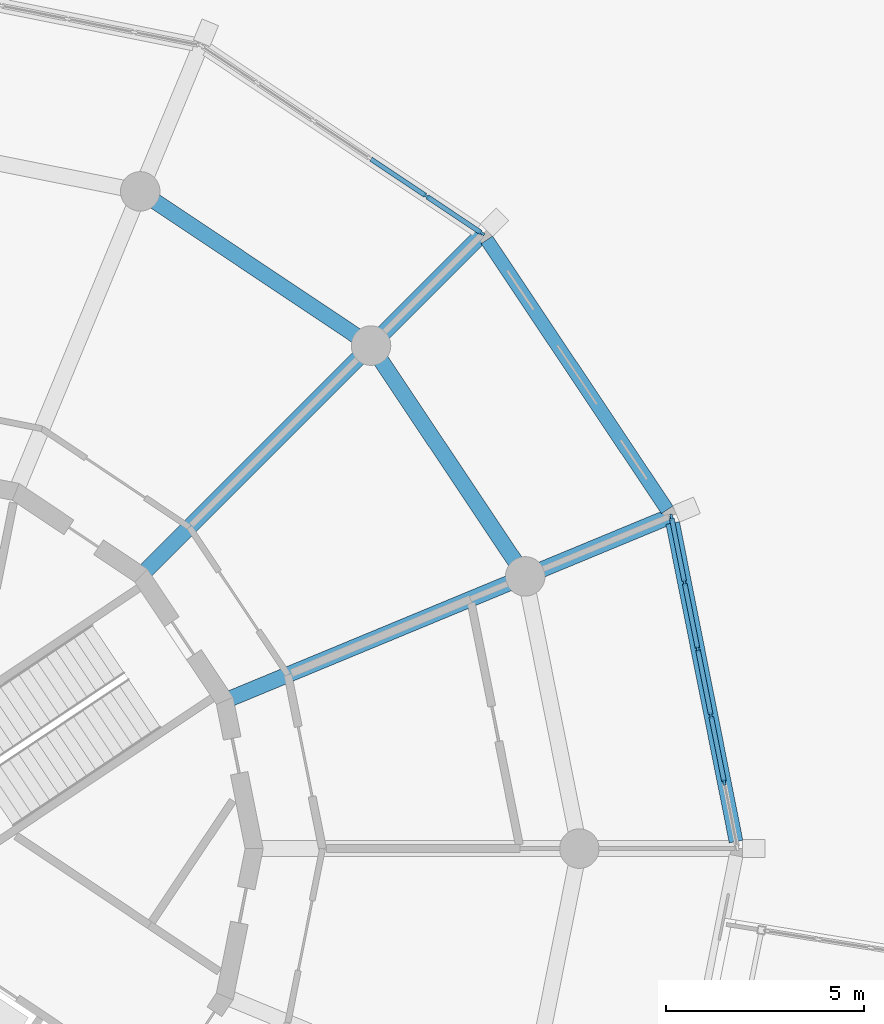
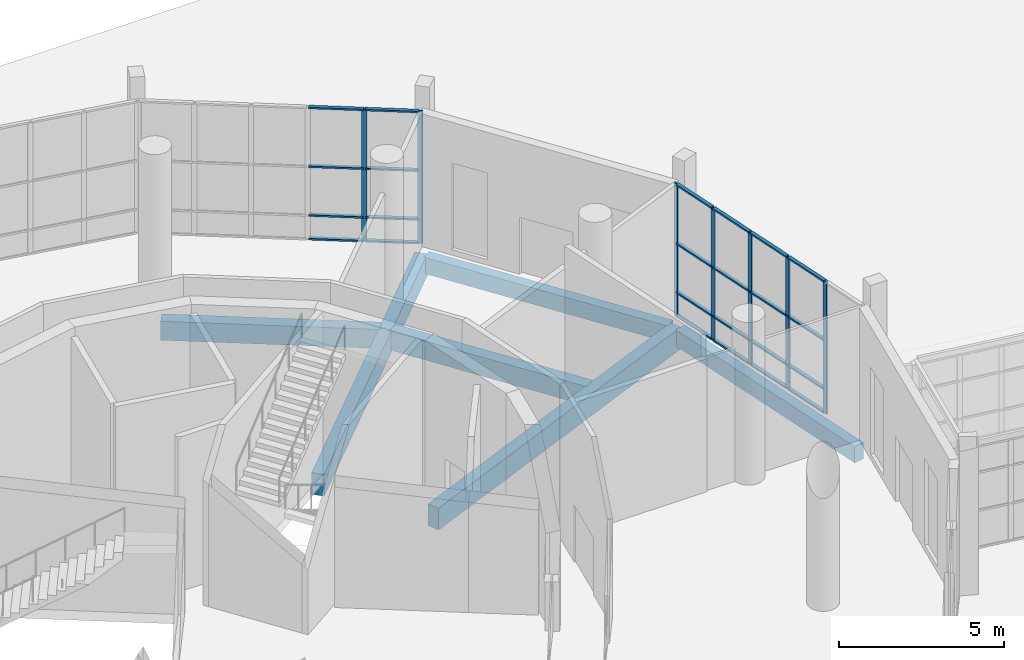
# One storey, part 71 of 226: 31 members, 6 beams, 2 elements without a shape of their own.
"""IFC4 building model written with IfcOpenShell, lengths in metres."""

from ifc_helpers import new_model, si_unit, direction, frame, origin, origin_2d, place, context, subcontext, project, spatial, rectangle, extrude, material, material_profile, profile_set, type_object, element, aggregate, save


model = new_model("IFC4")

# Units and contexts
model_context = context("Model", 3, precision=1e-05, world=origin(), true_north=direction((0.0, 1.0)))
body_context = subcontext(model_context, "Body", "Model", "MODEL_VIEW")
ifc_project = project(units=[si_unit("LENGTHUNIT", "METRE"), si_unit("AREAUNIT", "SQUARE_METRE"), si_unit("VOLUMEUNIT", "CUBIC_METRE"), si_unit("PLANEANGLEUNIT", "RADIAN"), si_unit("MASSUNIT", "GRAM", prefix="KILO")], contexts=[model_context])

# Site, building, storey
site_placement = place(None, origin())
site = spatial("IfcSite", under=ifc_project, at=site_placement, CompositionType="ELEMENT")
building_placement = place(site_placement, origin())
building = spatial("IfcBuilding", under=site, at=building_placement, Name="Ceibo Conservatory and Research Tower", CompositionType="ELEMENT")
storey_placement = place(building_placement, origin())
storey = spatial("IfcBuildingStorey", under=building, at=storey_placement, Name="L00", CompositionType="ELEMENT", Elevation=0.0)

# Curtain wall, members
ifc_material_1 = material(Name="Aluminium and glass", Category="aluminium")
curtain_wall_type = type_object("IfcCurtainWallType", Name="Curtain wall CW1", PredefinedType="NOTDEFINED", material=ifc_material_1)
curtain_wall_1_placement = place(storey_placement, origin())
curtain_wall_1 = element("IfcCurtainWall", 1, at=curtain_wall_1_placement, inside=storey, type_object=curtain_wall_type, Name="CW-00.01", PredefinedType="NOTDEFINED")
ifc_material_2 = material(Name="Aluminium", Category="aluminium")
ifc_material_profile_1 = material_profile(ifc_material_2, rectangle(XDim=0.06005859375, YDim=0.159912109375, at=origin_2d()), Name="Aluminium 60 x 160")
ifc_profile_set_1 = profile_set([ifc_material_profile_1], Name="Aluminium")
member_type_1 = type_object("IfcMemberType", Name="Aluminium mullion 60 x 160", PredefinedType="MULLION", material=ifc_profile_set_1)
member_1_placement = place(storey_placement, frame((69.6650390625, 121.683837890625, 0.0), z_axis=(0.0, 0.0, 1.0), x_axis=(-0.980785288916, -0.195090279221, 0.0)))
member_1 = element("IfcMember", 2, at=member_1_placement, type_object=member_type_1, Name="CW-00.01 mullion 2", PredefinedType="MULLION", context=body_context, shape_type="SweptSolid", body=[
    extrude(rectangle(XDim=0.06005859375, YDim=0.159912109375, at=origin_2d()), origin(), (0.0, 0.0, 1.0), 4.89990234375),
])
member_2_placement = place(storey_placement, frame((69.330078125, 123.36767578125, 0.0), z_axis=(0.0, 0.0, 1.0), x_axis=(-0.980785288916, -0.195090279221, 0.0)))
member_2 = element("IfcMember", 3, at=member_2_placement, type_object=member_type_1, Name="CW-00.01 mullion 3", PredefinedType="MULLION", context=body_context, shape_type="SweptSolid", body=[
    extrude(rectangle(XDim=0.06005859375, YDim=0.159912109375, at=origin_2d()), origin(), (0.0, 0.0, 1.0), 4.89990234375),
])
member_3_placement = place(storey_placement, frame((68.9951171875, 125.051513671875, 0.0), z_axis=(0.0, 0.0, 1.0), x_axis=(-0.980785288916, -0.195090279221, 0.0)))
member_3 = element("IfcMember", 4, at=member_3_placement, type_object=member_type_1, Name="CW-00.01 mullion 4", PredefinedType="MULLION", context=body_context, shape_type="SweptSolid", body=[
    extrude(rectangle(XDim=0.06005859375, YDim=0.159912109375, at=origin_2d()), origin(), (0.0, 0.0, 1.0), 4.89990234375),
])
member_4_placement = place(storey_placement, frame((68.660400390625, 126.735107421875, 0.0), z_axis=(0.0, 0.0, 1.0), x_axis=(-0.980785288916, -0.195090279221, 0.0)))
member_4 = element("IfcMember", 5, at=member_4_placement, type_object=member_type_1, Name="CW-00.01 mullion 5", PredefinedType="MULLION", context=body_context, shape_type="SweptSolid", body=[
    extrude(rectangle(XDim=0.06005859375, YDim=0.159912109375, at=origin_2d()), origin(), (0.0, 0.0, 1.0), 4.89990234375),
])
member_5_placement = place(storey_placement, frame((68.331298828125, 128.3896484375, 0.0), z_axis=(0.0, 0.0, 1.0), x_axis=(-0.980785288916, -0.195090279221, 0.0)))
member_5 = element("IfcMember", 6, at=member_5_placement, type_object=member_type_1, Name="CW-00.01 mullion 6", PredefinedType="MULLION", context=body_context, shape_type="SweptSolid", body=[
    extrude(rectangle(XDim=0.06005859375, YDim=0.159912109375, at=origin_2d()), origin(), (0.0, 0.0, 1.0), 4.89990234375),
])

curtain_wall_2_placement = place(storey_placement, origin())
curtain_wall_2 = element("IfcCurtainWall", 7, at=curtain_wall_2_placement, inside=storey, type_object=curtain_wall_type, Name="CW-00.03", PredefinedType="NOTDEFINED")
member_6_placement = place(storey_placement, frame((63.531494140625, 135.572998046875, 0.0), z_axis=(0.0, 0.0, 1.0), x_axis=(-0.555570307219, -0.831469562724, 0.0)))
member_6 = element("IfcMember", 8, at=member_6_placement, type_object=member_type_1, Name="CW-00.03 mullion 1", PredefinedType="MULLION", context=body_context, shape_type="SweptSolid", body=[
    extrude(rectangle(XDim=0.06005859375, YDim=0.159912109375, at=origin_2d()), origin(), (0.0, 0.0, 1.0), 4.89990234375),
])
member_7_placement = place(storey_placement, frame((62.12890625, 136.51025390625, 0.0), z_axis=(0.0, 0.0, 1.0), x_axis=(-0.555570307219, -0.831469562724, 0.0)))
member_7 = element("IfcMember", 9, at=member_7_placement, type_object=member_type_1, Name="CW-00.03 mullion 2", PredefinedType="MULLION", context=body_context, shape_type="SweptSolid", body=[
    extrude(rectangle(XDim=0.06005859375, YDim=0.159912109375, at=origin_2d()), origin(), (0.0, 0.0, 1.0), 4.89990234375),
])

# Member
ifc_material_profile_2 = material_profile(ifc_material_2, rectangle(XDim=0.1201171875, YDim=0.06005859375, at=origin_2d()), Name="Aluminium 60 x 120")
ifc_profile_set_2 = profile_set([ifc_material_profile_2], Name="Aluminium")
member_type_2 = type_object("IfcMemberType", Name="Aluminium transom 60 x 120", PredefinedType="USERDEFINED", material=ifc_profile_set_2)
member_8_placement = place(storey_placement, frame((69.6591796875, 121.713134765625, 0.030029296875), z_axis=(-0.195095890146, 0.980784172817, 0.0), x_axis=(-0.980784172817, -0.195095890146, 0.0)))
member_8 = element("IfcMember", 10, at=member_8_placement, type_object=member_type_2, Name="CW-00.01 transom 2.1", ObjectType="TRANSOM", PredefinedType="USERDEFINED", context=body_context, shape_type="SweptSolid", body=[
    extrude(rectangle(XDim=0.1201171875, YDim=0.06005859375, at=origin_2d()), origin(), (0.0, 0.0, 1.0), 1.65673828125),
])

member_9_placement = place(storey_placement, frame((69.6591796875, 121.713134765625, 0.89990234375), z_axis=(-0.195095890146, 0.980784172817, 0.0), x_axis=(-0.980784172817, -0.195095890146, 0.0)))
member_9 = element("IfcMember", 11, at=member_9_placement, type_object=member_type_2, Name="CW-00.01 transom 2.2", ObjectType="TRANSOM", PredefinedType="USERDEFINED", context=body_context, shape_type="SweptSolid", body=[
    extrude(rectangle(XDim=0.1201171875, YDim=0.06005859375, at=origin_2d()), origin(), (0.0, 0.0, 1.0), 1.65673828125),
])

member_10_placement = place(storey_placement, frame((69.6591796875, 121.713134765625, 2.699951171875), z_axis=(-0.195095890146, 0.980784172817, 0.0), x_axis=(-0.980784172817, -0.195095890146, 0.0)))
member_10 = element("IfcMember", 12, at=member_10_placement, type_object=member_type_2, Name="CW-00.01 transom 2.3", ObjectType="TRANSOM", PredefinedType="USERDEFINED", context=body_context, shape_type="SweptSolid", body=[
    extrude(rectangle(XDim=0.1201171875, YDim=0.06005859375, at=origin_2d()), origin(), (0.0, 0.0, 1.0), 1.65673828125),
])

member_11_placement = place(storey_placement, frame((69.6591796875, 121.713134765625, 4.8701171875), z_axis=(-0.195095890146, 0.980784172817, 0.0), x_axis=(-0.980784172817, -0.195095890146, 0.0)))
member_11 = element("IfcMember", 13, at=member_11_placement, type_object=member_type_2, Name="CW-00.01 transom 2.4", ObjectType="TRANSOM", PredefinedType="USERDEFINED", context=body_context, shape_type="SweptSolid", body=[
    extrude(rectangle(XDim=0.1201171875, YDim=0.06005859375, at=origin_2d()), origin(), (0.0, 0.0, 1.0), 1.65673828125),
])

member_12_placement = place(storey_placement, frame((69.32421875, 123.39697265625, 0.030029296875), z_axis=(-0.195095890146, 0.980784172817, 0.0), x_axis=(-0.980784172817, -0.195095890146, 0.0)))
member_12 = element("IfcMember", 14, at=member_12_placement, type_object=member_type_2, Name="CW-00.01 transom 3.1", ObjectType="TRANSOM", PredefinedType="USERDEFINED", context=body_context, shape_type="SweptSolid", body=[
    extrude(rectangle(XDim=0.1201171875, YDim=0.06005859375, at=origin_2d()), origin(), (0.0, 0.0, 1.0), 1.65673828125),
])

member_13_placement = place(storey_placement, frame((69.32421875, 123.39697265625, 0.89990234375), z_axis=(-0.195095890146, 0.980784172817, 0.0), x_axis=(-0.980784172817, -0.195095890146, 0.0)))
member_13 = element("IfcMember", 15, at=member_13_placement, type_object=member_type_2, Name="CW-00.01 transom 3.2", ObjectType="TRANSOM", PredefinedType="USERDEFINED", context=body_context, shape_type="SweptSolid", body=[
    extrude(rectangle(XDim=0.1201171875, YDim=0.06005859375, at=origin_2d()), origin(), (0.0, 0.0, 1.0), 1.65673828125),
])

member_14_placement = place(storey_placement, frame((69.32421875, 123.39697265625, 2.699951171875), z_axis=(-0.195095890146, 0.980784172817, 0.0), x_axis=(-0.980784172817, -0.195095890146, 0.0)))
member_14 = element("IfcMember", 16, at=member_14_placement, type_object=member_type_2, Name="CW-00.01 transom 3.3", ObjectType="TRANSOM", PredefinedType="USERDEFINED", context=body_context, shape_type="SweptSolid", body=[
    extrude(rectangle(XDim=0.1201171875, YDim=0.06005859375, at=origin_2d()), origin(), (0.0, 0.0, 1.0), 1.65673828125),
])

member_15_placement = place(storey_placement, frame((69.32421875, 123.39697265625, 4.8701171875), z_axis=(-0.195095890146, 0.980784172817, 0.0), x_axis=(-0.980784172817, -0.195095890146, 0.0)))
member_15 = element("IfcMember", 17, at=member_15_placement, type_object=member_type_2, Name="CW-00.01 transom 3.4", ObjectType="TRANSOM", PredefinedType="USERDEFINED", context=body_context, shape_type="SweptSolid", body=[
    extrude(rectangle(XDim=0.1201171875, YDim=0.06005859375, at=origin_2d()), origin(), (0.0, 0.0, 1.0), 1.65673828125),
])

member_16_placement = place(storey_placement, frame((68.9892578125, 125.080810546875, 0.030029296875), z_axis=(-0.195095890146, 0.980784172817, 0.0), x_axis=(-0.980784172817, -0.195095890146, 0.0)))
member_16 = element("IfcMember", 18, at=member_16_placement, type_object=member_type_2, Name="CW-00.01 transom 4.1", ObjectType="TRANSOM", PredefinedType="USERDEFINED", context=body_context, shape_type="SweptSolid", body=[
    extrude(rectangle(XDim=0.1201171875, YDim=0.06005859375, at=origin_2d()), origin(), (0.0, 0.0, 1.0), 1.65673828125),
])

member_17_placement = place(storey_placement, frame((68.9892578125, 125.080810546875, 0.89990234375), z_axis=(-0.195095890146, 0.980784172817, 0.0), x_axis=(-0.980784172817, -0.195095890146, 0.0)))
member_17 = element("IfcMember", 19, at=member_17_placement, type_object=member_type_2, Name="CW-00.01 transom 4.2", ObjectType="TRANSOM", PredefinedType="USERDEFINED", context=body_context, shape_type="SweptSolid", body=[
    extrude(rectangle(XDim=0.1201171875, YDim=0.06005859375, at=origin_2d()), origin(), (0.0, 0.0, 1.0), 1.65673828125),
])

member_18_placement = place(storey_placement, frame((68.9892578125, 125.080810546875, 2.699951171875), z_axis=(-0.195095890146, 0.980784172817, 0.0), x_axis=(-0.980784172817, -0.195095890146, 0.0)))
member_18 = element("IfcMember", 20, at=member_18_placement, type_object=member_type_2, Name="CW-00.01 transom 4.3", ObjectType="TRANSOM", PredefinedType="USERDEFINED", context=body_context, shape_type="SweptSolid", body=[
    extrude(rectangle(XDim=0.1201171875, YDim=0.06005859375, at=origin_2d()), origin(), (0.0, 0.0, 1.0), 1.65673828125),
])

member_19_placement = place(storey_placement, frame((68.9892578125, 125.080810546875, 4.8701171875), z_axis=(-0.195095890146, 0.980784172817, 0.0), x_axis=(-0.980784172817, -0.195095890146, 0.0)))
member_19 = element("IfcMember", 21, at=member_19_placement, type_object=member_type_2, Name="CW-00.01 transom 4.4", ObjectType="TRANSOM", PredefinedType="USERDEFINED", context=body_context, shape_type="SweptSolid", body=[
    extrude(rectangle(XDim=0.1201171875, YDim=0.06005859375, at=origin_2d()), origin(), (0.0, 0.0, 1.0), 1.65673828125),
])

member_20_placement = place(storey_placement, frame((68.654541015625, 126.7646484375, 0.030029296875), z_axis=(-0.195105867559, 0.980782188074, 0.0), x_axis=(-0.980782188074, -0.195105867559, 0.0)))
member_20 = element("IfcMember", 22, at=member_20_placement, type_object=member_type_2, Name="CW-00.01 transom 5.1", ObjectType="TRANSOM", PredefinedType="USERDEFINED", context=body_context, shape_type="SweptSolid", body=[
    extrude(rectangle(XDim=0.1201171875, YDim=0.06005859375, at=origin_2d()), origin(), (0.0, 0.0, 1.0), 1.626708984375),
])

member_21_placement = place(storey_placement, frame((68.654541015625, 126.7646484375, 0.89990234375), z_axis=(-0.195105867559, 0.980782188074, 0.0), x_axis=(-0.980782188074, -0.195105867559, 0.0)))
member_21 = element("IfcMember", 23, at=member_21_placement, type_object=member_type_2, Name="CW-00.01 transom 5.2", ObjectType="TRANSOM", PredefinedType="USERDEFINED", context=body_context, shape_type="SweptSolid", body=[
    extrude(rectangle(XDim=0.1201171875, YDim=0.06005859375, at=origin_2d()), origin(), (0.0, 0.0, 1.0), 1.626708984375),
])

member_22_placement = place(storey_placement, frame((68.654541015625, 126.7646484375, 2.699951171875), z_axis=(-0.195105867559, 0.980782188074, 0.0), x_axis=(-0.980782188074, -0.195105867559, 0.0)))
member_22 = element("IfcMember", 24, at=member_22_placement, type_object=member_type_2, Name="CW-00.01 transom 5.3", ObjectType="TRANSOM", PredefinedType="USERDEFINED", context=body_context, shape_type="SweptSolid", body=[
    extrude(rectangle(XDim=0.1201171875, YDim=0.06005859375, at=origin_2d()), origin(), (0.0, 0.0, 1.0), 1.626708984375),
])

member_23_placement = place(storey_placement, frame((68.654541015625, 126.7646484375, 4.8701171875), z_axis=(-0.195105867559, 0.980782188074, 0.0), x_axis=(-0.980782188074, -0.195105867559, 0.0)))
member_23 = element("IfcMember", 25, at=member_23_placement, type_object=member_type_2, Name="CW-00.01 transom 5.4", ObjectType="TRANSOM", PredefinedType="USERDEFINED", context=body_context, shape_type="SweptSolid", body=[
    extrude(rectangle(XDim=0.1201171875, YDim=0.06005859375, at=origin_2d()), origin(), (0.0, 0.0, 1.0), 1.626708984375),
])

aggregate(curtain_wall_1, [member_1, member_2, member_3, member_4, member_5, member_8, member_9, member_10, member_11, member_12, member_13, member_14, member_15, member_16, member_17, member_18, member_19, member_20, member_21, member_22, member_23])

member_24_placement = place(storey_placement, frame((63.50634765625, 135.589599609375, 0.030029296875), z_axis=(-0.831449482525, 0.555600358179, 0.0), x_axis=(-0.555600358179, -0.831449482525, 0.0)))
member_24 = element("IfcMember", 26, at=member_24_placement, type_object=member_type_2, Name="CW-00.03 transom 1.1", ObjectType="TRANSOM", PredefinedType="USERDEFINED", context=body_context, shape_type="SweptSolid", body=[
    extrude(rectangle(XDim=0.1201171875, YDim=0.06005859375, at=origin_2d()), origin(), (0.0, 0.0, 1.0), 1.626708984375),
])

member_25_placement = place(storey_placement, frame((63.50634765625, 135.589599609375, 0.89990234375), z_axis=(-0.831449482525, 0.555600358179, 0.0), x_axis=(-0.555600358179, -0.831449482525, 0.0)))
member_25 = element("IfcMember", 27, at=member_25_placement, type_object=member_type_2, Name="CW-00.03 transom 1.2", ObjectType="TRANSOM", PredefinedType="USERDEFINED", context=body_context, shape_type="SweptSolid", body=[
    extrude(rectangle(XDim=0.1201171875, YDim=0.06005859375, at=origin_2d()), origin(), (0.0, 0.0, 1.0), 1.626708984375),
])

member_26_placement = place(storey_placement, frame((63.50634765625, 135.589599609375, 2.699951171875), z_axis=(-0.831449482525, 0.555600358179, 0.0), x_axis=(-0.555600358179, -0.831449482525, 0.0)))
member_26 = element("IfcMember", 28, at=member_26_placement, type_object=member_type_2, Name="CW-00.03 transom 1.3", ObjectType="TRANSOM", PredefinedType="USERDEFINED", context=body_context, shape_type="SweptSolid", body=[
    extrude(rectangle(XDim=0.1201171875, YDim=0.06005859375, at=origin_2d()), origin(), (0.0, 0.0, 1.0), 1.626708984375),
])

member_27_placement = place(storey_placement, frame((63.50634765625, 135.589599609375, 4.8701171875), z_axis=(-0.831449482525, 0.555600358179, 0.0), x_axis=(-0.555600358179, -0.831449482525, 0.0)))
member_27 = element("IfcMember", 29, at=member_27_placement, type_object=member_type_2, Name="CW-00.03 transom 1.4", ObjectType="TRANSOM", PredefinedType="USERDEFINED", context=body_context, shape_type="SweptSolid", body=[
    extrude(rectangle(XDim=0.1201171875, YDim=0.06005859375, at=origin_2d()), origin(), (0.0, 0.0, 1.0), 1.626708984375),
])

member_28_placement = place(storey_placement, frame((62.10400390625, 136.52685546875, 0.030029296875), z_axis=(-0.831505826173, 0.555516031308, 0.0), x_axis=(-0.555516031308, -0.831505826173, 0.0)))
member_28 = element("IfcMember", 30, at=member_28_placement, type_object=member_type_2, Name="CW-00.03 transom 2.1", ObjectType="TRANSOM", PredefinedType="USERDEFINED", context=body_context, shape_type="SweptSolid", body=[
    extrude(rectangle(XDim=0.1201171875, YDim=0.06005859375, at=origin_2d()), origin(), (0.0, 0.0, 1.0), 1.65673828125),
])

member_29_placement = place(storey_placement, frame((62.10400390625, 136.52685546875, 0.89990234375), z_axis=(-0.831505826173, 0.555516031308, 0.0), x_axis=(-0.555516031308, -0.831505826173, 0.0)))
member_29 = element("IfcMember", 31, at=member_29_placement, type_object=member_type_2, Name="CW-00.03 transom 2.2", ObjectType="TRANSOM", PredefinedType="USERDEFINED", context=body_context, shape_type="SweptSolid", body=[
    extrude(rectangle(XDim=0.1201171875, YDim=0.06005859375, at=origin_2d()), origin(), (0.0, 0.0, 1.0), 1.65673828125),
])

member_30_placement = place(storey_placement, frame((62.10400390625, 136.52685546875, 2.699951171875), z_axis=(-0.831505826173, 0.555516031308, 0.0), x_axis=(-0.555516031308, -0.831505826173, 0.0)))
member_30 = element("IfcMember", 32, at=member_30_placement, type_object=member_type_2, Name="CW-00.03 transom 2.3", ObjectType="TRANSOM", PredefinedType="USERDEFINED", context=body_context, shape_type="SweptSolid", body=[
    extrude(rectangle(XDim=0.1201171875, YDim=0.06005859375, at=origin_2d()), origin(), (0.0, 0.0, 1.0), 1.65673828125),
])

member_31_placement = place(storey_placement, frame((62.10400390625, 136.52685546875, 4.8701171875), z_axis=(-0.831505826173, 0.555516031308, 0.0), x_axis=(-0.555516031308, -0.831505826173, 0.0)))
member_31 = element("IfcMember", 33, at=member_31_placement, type_object=member_type_2, Name="CW-00.03 transom 2.4", ObjectType="TRANSOM", PredefinedType="USERDEFINED", context=body_context, shape_type="SweptSolid", body=[
    extrude(rectangle(XDim=0.1201171875, YDim=0.06005859375, at=origin_2d()), origin(), (0.0, 0.0, 1.0), 1.65673828125),
])

aggregate(curtain_wall_2, [member_6, member_7, member_24, member_25, member_26, member_27, member_28, member_29, member_30, member_31])

# Beams
ifc_material_3 = material(Name="Concrete C35/45", Category="concrete")
ifc_material_profile_3 = material_profile(ifc_material_3, rectangle(XDim=0.35009765625, YDim=0.60009765625, at=origin_2d()), Name="RC 350x600")
ifc_profile_set_3 = profile_set([ifc_material_profile_3], Name="Concrete C35/45")
beam_type_1 = type_object("IfcBeamType", Name="RC beam 350x600 C35", PredefinedType="BEAM", material=ifc_profile_set_3)
beam_1_placement = place(storey_placement, frame((69.964111328125, 120.180419921875, -0.64990234375), z_axis=(-0.195076015612, 0.980788126016, 0.0), x_axis=(-0.980788126016, -0.195076015612, 0.0)))
element("IfcBeam", 34, at=beam_1_placement, inside=storey, type_object=beam_type_1, Name="Edge beam 01 L00", PredefinedType="BEAM", context=body_context, shape_type="SweptSolid", body=[
    extrude(rectangle(XDim=0.35009765625, YDim=0.60009765625, at=origin_2d()), origin(), (0.0, 0.0, 1.0), 8.21630859375),
])
beam_2_placement = place(storey_placement, frame((68.22314453125, 128.572021484375, -0.64990234375), z_axis=(-0.555584480406, 0.831460092327, 0.0), x_axis=(-0.831460092327, -0.555584480406, 0.0)))
element("IfcBeam", 35, at=beam_2_placement, inside=storey, type_object=beam_type_1, Name="Edge beam 02 L00", PredefinedType="BEAM", context=body_context, shape_type="SweptSolid", body=[
    extrude(rectangle(XDim=0.35009765625, YDim=0.60009765625, at=origin_2d()), origin(), (0.0, 0.0, 1.0), 8.216064453125),
])
ifc_material_profile_4 = material_profile(ifc_material_3, rectangle(XDim=0.39990234375, YDim=0.699951171875, at=origin_2d()), Name="RC 400x700")
ifc_profile_set_4 = profile_set([ifc_material_profile_4], Name="Concrete C35/45")
beam_type_2 = type_object("IfcBeamType", Name="RC beam 400x700 C35", PredefinedType="BEAM", material=ifc_profile_set_4)
for number, where, z_axis, x_axis, name in (
    (36, (64.527587890625, 127.041259765625, -0.699951171875), (-0.555571830572, 0.83146854485, 0.0), (-0.83146854485, -0.555571830572, 0.0), "Ring beam 02 L00"),
    (37, (60.574951171875, 132.830078125, -0.699951171875), (-0.83146854485, 0.555571830572, 0.0), (-0.555571830572, -0.83146854485, 0.0), "Ring beam 03 L00"),
):
    element("IfcBeam", number, at=place(storey_placement, frame(where, z_axis=z_axis, x_axis=x_axis)), inside=storey, type_object=beam_type_2, Name=name, PredefinedType="BEAM", context=body_context, shape_type="SweptSolid", body=[
        extrude(rectangle(XDim=0.39990234375, YDim=0.699951171875, at=origin_2d()), origin(), (0.0, 0.0, 1.0), 6.6552734375),
    ])
ifc_material_profile_5 = material_profile(ifc_material_3, rectangle(XDim=0.39990234375, YDim=0.800048828125, at=origin_2d()), Name="RC 400x800")
ifc_profile_set_5 = profile_set([ifc_material_profile_5], Name="Concrete C35/45")
beam_type_3 = type_object("IfcBeamType", Name="RC beam 400x800 C35", PredefinedType="BEAM", material=ifc_profile_set_5)
beam_3_placement = place(storey_placement, frame((57.192626953125, 123.8076171875, -0.75), z_axis=(0.923874289595, 0.382696089639, 0.0), x_axis=(-0.382696089639, 0.923874289595, 0.0)))
element("IfcBeam", 38, at=beam_3_placement, inside=storey, type_object=beam_type_3, Name="Radial beam R2 L00", PredefinedType="BEAM", context=body_context, shape_type="SweptSolid", body=[
    extrude(rectangle(XDim=0.39990234375, YDim=0.800048828125, at=origin_2d()), origin(), (0.0, 0.0, 1.0), 12.045166015625),
])
beam_4_placement = place(storey_placement, frame((55.03564453125, 127.03564453125, -0.75), z_axis=(0.707106781187, 0.707106781187, 0.0), x_axis=(-0.707106781187, 0.707106781187, 0.0)))
element("IfcBeam", 39, at=beam_4_placement, inside=storey, type_object=beam_type_3, Name="Radial beam R3 L00", PredefinedType="BEAM", context=body_context, shape_type="SweptSolid", body=[
    extrude(rectangle(XDim=0.39990234375, YDim=0.800048828125, at=origin_2d()), origin(), (0.0, 0.0, 1.0), 12.044921875),
])

save(model, "model.ifc")
